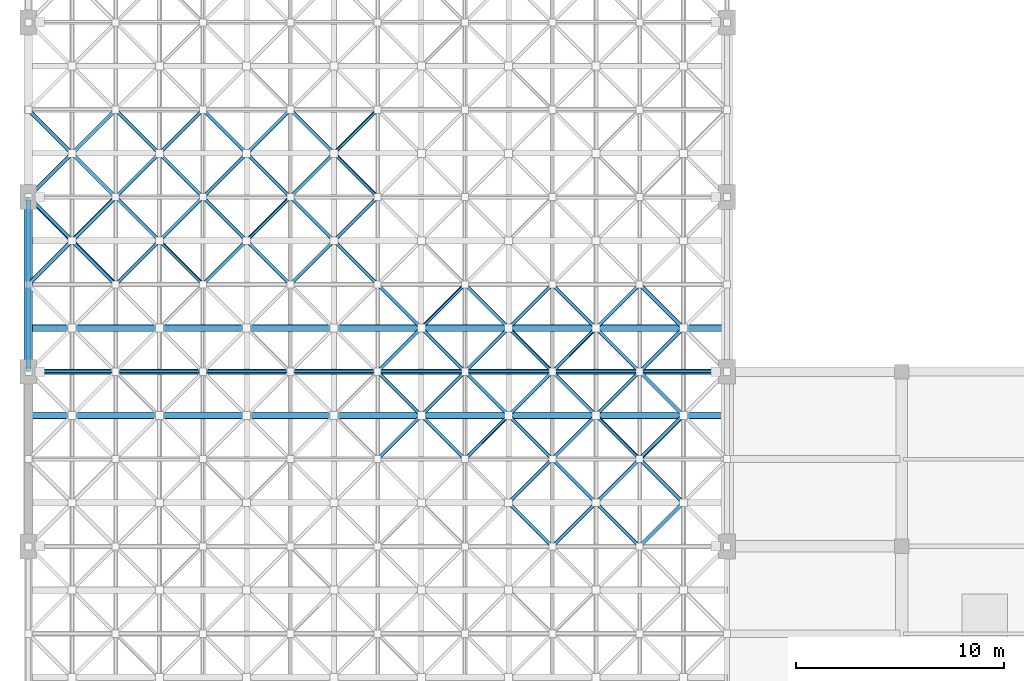
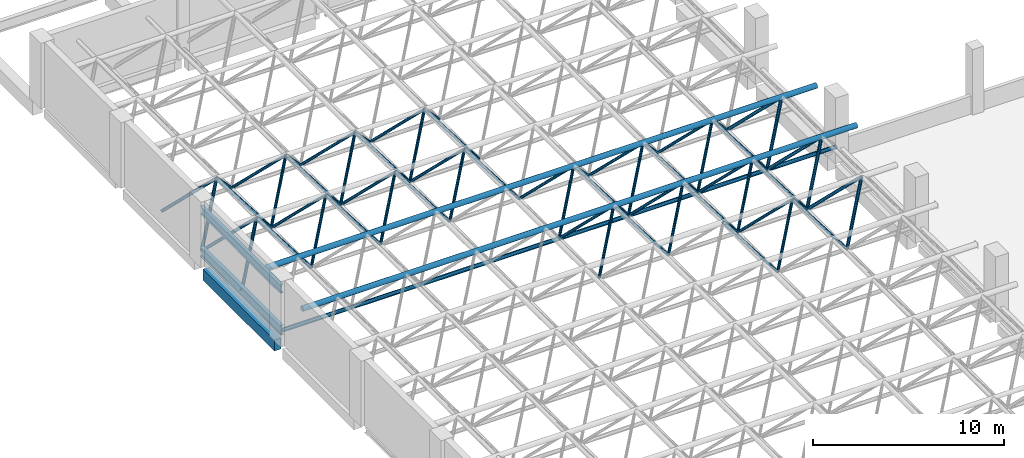
# One storey, part 28 of 64: 71 members, 3 beams.
"""IFC4 building model written with IfcOpenShell, lengths in metres."""

import ifcopenshell
import ifcopenshell.guid

model = None  # the IFC model being written
_history = None  # IfcOwnerHistory: only IFC2X3 demands one
_inside = {}  # id of a spatial element -> (the spatial element, [elements in it])
_under = {}  # id of a project, library or spatial element -> (it, [spatial elements below it])
_declared = {}  # id of a project -> (the project, [libraries it declares])
_typed = {}  # id of a type object -> (the type object, [elements of that type])
_made_of = {}  # id of a material, layer set ... -> (it, [elements and type objects made of it])


def new_model(schema):
    """Start an empty IFC model of exactly this schema.

    Asked for "IFC4X3", IfcOpenShell would pick the latest addendum, in which some entities
    have other attributes; the version numbers below select the first issue.
    IFC2X3 requires an IfcOwnerHistory on every rooted entity: one is made here for all.
    """
    global model, _history
    if schema == "IFC4X3":
        model = ifcopenshell.file(schema_version=(4, 3, 0, 0))
    else:
        model = ifcopenshell.file(schema=schema)
    _inside.clear()
    _under.clear()
    _declared.clear()
    _typed.clear()
    _made_of.clear()
    _history = None
    if model.schema == "IFC2X3":
        org = make("IfcOrganization", Name="unknown")
        user = make(
            "IfcPersonAndOrganization",
            ThePerson=make("IfcPerson", FamilyName="unknown"),
            TheOrganization=org,
        )
        app = make(
            "IfcApplication",
            ApplicationDeveloper=org,
            Version="unknown",
            ApplicationFullName="unknown",
            ApplicationIdentifier="unknown",
        )
        _history = make(
            "IfcOwnerHistory",
            OwningUser=user,
            OwningApplication=app,
            ChangeAction="ADDED",
            CreationDate=0,
        )
    return model


def make(cls, **values):
    """One entity of the class cls with the attributes given. An attribute that is None is left unset."""
    return model.create_entity(
        cls, **{name: value for name, value in values.items() if value is not None}
    )


def rooted(cls, **values):
    """An entity with a GlobalId (a new one), such as an element, a storey or a relation."""
    return make(cls, GlobalId=ifcopenshell.guid.new(), OwnerHistory=_history, **values)


def si_unit(unit_type, name, prefix=None):
    """IfcSIUnit, for example si_unit("LENGTHUNIT", "METRE", prefix="MILLI")."""
    return make("IfcSIUnit", UnitType=unit_type, Prefix=prefix, Name=name)


def derived_unit(unit_type, elements):
    """IfcDerivedUnit: a product of units, each with its exponent."""
    return make(
        "IfcDerivedUnit",
        Elements=[
            make("IfcDerivedUnitElement", Unit=unit, Exponent=power)
            for unit, power in elements
        ],
        UnitType=unit_type,
    )


def assignment(units):
    """IfcUnitAssignment: the units of a project."""
    return None if units is None else make("IfcUnitAssignment", Units=units)


def point(xyz):
    """IfcCartesianPoint."""
    return None if xyz is None else make("IfcCartesianPoint", Coordinates=xyz)


def direction(xyz):
    """IfcDirection."""
    return None if xyz is None else make("IfcDirection", DirectionRatios=xyz)


def frame(location, z_axis=None, x_axis=None):
    """IfcAxis2Placement3D, a coordinate frame: its origin and axes. An axis left out is left unset."""
    return make(
        "IfcAxis2Placement3D",
        Location=point(location),
        Axis=direction(z_axis),
        RefDirection=direction(x_axis),
    )


def frame_2d(location, x_axis=None):
    """IfcAxis2Placement2D, a coordinate frame in the plane: its origin and x axis."""
    return make(
        "IfcAxis2Placement2D", Location=point(location), RefDirection=direction(x_axis)
    )


def origin():
    """The frame at (0, 0, 0) with its axes left unset."""
    return frame((0.0, 0.0, 0.0))


def origin_2d():
    """The frame at (0, 0) in the plane with its x axis left unset."""
    return frame_2d((0.0, 0.0))


def place(relative_to, where):
    """IfcLocalPlacement: puts the frame where relative to a parent placement (None: the world)."""
    return make(
        "IfcLocalPlacement", PlacementRelTo=relative_to, RelativePlacement=where
    )


def context(
    kind, dimensions, precision=None, world=None, true_north=None, identifier=None
):
    """IfcGeometricRepresentationContext, for example the 3D "Model" context."""
    return make(
        "IfcGeometricRepresentationContext",
        ContextIdentifier=identifier,
        ContextType=kind,
        CoordinateSpaceDimension=dimensions,
        Precision=precision,
        WorldCoordinateSystem=world,
        TrueNorth=true_north,
    )


def subcontext(parent, identifier, kind, view, scale=None):
    """IfcGeometricRepresentationSubContext, for example "Body" below "Model"."""
    return make(
        "IfcGeometricRepresentationSubContext",
        ContextIdentifier=identifier,
        ContextType=kind,
        ParentContext=parent,
        TargetScale=scale,
        TargetView=view,
    )


def project(units=None, contexts=None):
    """IfcProject with its units and contexts."""
    return rooted(
        "IfcProject",
        Name="project",
        RepresentationContexts=contexts,
        UnitsInContext=assignment(units),
    )


def spatial(cls, under=None, at=None, **own):
    """A site, building, storey or space (cls), placed at a placement, below another one or the project."""
    s = rooted(cls, ObjectPlacement=at, **own)
    if under is not None:
        _under.setdefault(under.id(), (under, []))[1].append(s)
    return s


def profile(cls, at=None, kind="AREA", **sizes):
    """A parametric profile (cls). Its sizes go by their IFC names, for example OverallWidth=200.0."""
    return make(cls, ProfileType=kind, Position=at, **sizes)


def rectangle(**sizes):
    """IfcRectangleProfileDef."""
    return profile("IfcRectangleProfileDef", **sizes)


def hollow_circle(**sizes):
    """IfcCircleHollowProfileDef."""
    return profile("IfcCircleHollowProfileDef", **sizes)


def i_section(**sizes):
    """IfcIShapeProfileDef."""
    return profile("IfcIShapeProfileDef", **sizes)


def extrude(swept, where, along, depth):
    """IfcExtrudedAreaSolid: the profile swept, set in the frame where, extruded along a direction by depth."""
    return make(
        "IfcExtrudedAreaSolid",
        SweptArea=swept,
        Position=where,
        ExtrudedDirection=direction(along),
        Depth=depth,
    )


def shape(context_of_items, identifier, shape_type, items):
    """IfcShapeRepresentation: the items that make up one representation, for example the "Body"."""
    return make(
        "IfcShapeRepresentation",
        ContextOfItems=context_of_items,
        RepresentationIdentifier=identifier,
        RepresentationType=shape_type,
        Items=items,
    )


def material(Name=None, Category=None):
    """IfcMaterial."""
    return make("IfcMaterial", Name=Name, Category=Category)


def material_profile(
    of_material, cross_section, Name=None, Category=None, Priority=None
):
    """IfcMaterialProfile: a cross section and its material."""
    return make(
        "IfcMaterialProfile",
        Name=Name,
        Material=of_material,
        Profile=cross_section,
        Priority=Priority,
        Category=Category,
    )


def profile_set(profiles, Name=None, composite=None):
    """IfcMaterialProfileSet."""
    return make(
        "IfcMaterialProfileSet",
        Name=Name,
        MaterialProfiles=profiles,
        CompositeProfile=composite,
    )


def made_of(thing, what):
    """Note that an element or type object is made of a material, layer set ...; save() writes the relation."""
    if what is not None:
        _made_of.setdefault(what.id(), (what, []))[1].append(thing)
    return thing


def type_object(cls, material=None, **own):
    """A type object (cls), such as IfcWallType, which elements share."""
    return made_of(rooted(cls, **own), material)


def element(
    cls,
    number,
    at=None,
    inside=None,
    cuts=None,
    type_object=None,
    material=None,
    context=None,
    identifier="Body",
    shape_type=None,
    held_by="IfcProductDefinitionShape",
    body=None,
    shapes=None,
    **own,
):
    """One element of the class cls, such as IfcWall. Its Tag is "e" and its number.

    at: its placement. inside: the storey or other place that contains it. cuts: it is an
    opening in that element (IfcRelVoidsElement). A single representation is given by context,
    identifier, shape_type and body (its items); several are given by shapes. held_by: the class
    of the entity that holds the representations. save() writes the other relations.
    """
    e = rooted(cls, Tag="e%d" % number, ObjectPlacement=at, **own)
    if body is not None:
        shapes = [shape(context, identifier, shape_type, body)]
    if shapes is not None:
        e.Representation = make(held_by, Representations=shapes)
    if inside is not None:
        _inside.setdefault(inside.id(), (inside, []))[1].append(e)
    if cuts is not None:
        rooted(
            "IfcRelVoidsElement", RelatingBuildingElement=cuts, RelatedOpeningElement=e
        )
    if type_object is not None:
        _typed.setdefault(type_object.id(), (type_object, []))[1].append(e)
    return made_of(e, material)


def aggregate(whole, parts):
    """IfcRelAggregates: a whole, such as a stair, and the parts it consists of."""
    return rooted("IfcRelAggregates", RelatingObject=whole, RelatedObjects=parts)


def save(model, path):
    """Write the relations noted so far, then the file.

    IfcRelAggregates (storeys below a building ...), IfcRelContainedInSpatialStructure (elements
    in a storey), IfcRelDefinesByType, IfcRelAssociatesMaterial and IfcRelDeclares: one each for
    every whole, place, type object, material and project.
    """
    for whole, parts in _under.values():
        aggregate(whole, parts)
    for where, things in _inside.values():
        rooted(
            "IfcRelContainedInSpatialStructure",
            RelatedElements=things,
            RelatingStructure=where,
        )
    for kind, things in _typed.values():
        rooted("IfcRelDefinesByType", RelatedObjects=things, RelatingType=kind)
    for what, things in _made_of.values():
        rooted("IfcRelAssociatesMaterial", RelatedObjects=things, RelatingMaterial=what)
    for by, libraries in _declared.values():
        rooted("IfcRelDeclares", RelatingContext=by, RelatedDefinitions=libraries)
    model.write(path)


model = new_model("IFC4")

# Units and contexts
model_context = context("Model", 3, precision=1e-05, world=origin(), true_north=direction((0.0, 1.0)))
body_context = subcontext(model_context, "Body", "Model", "MODEL_VIEW")
ifc_project = project(units=[si_unit("LENGTHUNIT", "METRE"), si_unit("AREAUNIT", "SQUARE_METRE"), si_unit("VOLUMEUNIT", "CUBIC_METRE"), si_unit("PLANEANGLEUNIT", "RADIAN"), si_unit("MASSUNIT", "GRAM", prefix="KILO"), derived_unit("THERMALTRANSMITTANCEUNIT", [(si_unit("POWERUNIT", "WATT"), 1), (si_unit("LENGTHUNIT", "METRE"), -2), (si_unit("THERMODYNAMICTEMPERATUREUNIT", "KELVIN"), -1)])], contexts=[model_context])

# Site, building, storey
site_placement = place(None, origin())
site = spatial("IfcSite", under=ifc_project, at=site_placement, CompositionType="ELEMENT")
building_placement = place(site_placement, origin())
building = spatial("IfcBuilding", under=site, at=building_placement, Name="Barrovel Congress Hotel", CompositionType="ELEMENT")
storey_placement = place(building_placement, frame((0.0, 0.0, 14.10009765625)))
storey = spatial("IfcBuildingStorey", under=building, at=storey_placement, Name="L03", CompositionType="ELEMENT", Elevation=14.10009765625)

# Beam
ifc_material_1 = material(Name="Concrete C40", Category="concrete")
ifc_material_profile_1 = material_profile(ifc_material_1, rectangle(XDim=0.39990234375, YDim=0.699951171875, at=origin_2d()), Name="RC400x700")
ifc_profile_set_1 = profile_set([ifc_material_profile_1], Name="Concrete C40")
beam_type_1 = type_object("IfcBeamType", Name="BM-RC400x700", PredefinedType="BEAM", material=ifc_profile_set_1)
beam_1_placement = place(storey_placement, frame((0.0, 80.25, -0.590087890625), z_axis=(0.0, 1.0, 0.0), x_axis=(-1.0, 0.0, 0.0)))
element("IfcBeam", 1, at=beam_1_placement, inside=storey, type_object=beam_type_1, Name="BMY:L03:0.0:79.8-88.2", PredefinedType="BEAM", context=body_context, shape_type="SweptSolid", body=[
    extrude(rectangle(XDim=0.39990234375, YDim=0.699951171875, at=origin_2d()), origin(), (0.0, 0.0, 1.0), 7.5),
])

# Members
ifc_material_2 = material(Name="Steel ASTM A500 Grade C", Category="steel")
ifc_material_profile_2 = material_profile(ifc_material_2, hollow_circle(Radius=0.084228515625, WallThickness=0.006591796875, at=origin_2d()), Name="CHS168.3x7.1")
ifc_profile_set_2 = profile_set([ifc_material_profile_2], Name="Steel ASTM A500 Grade C")
member_type_1 = type_object("IfcMemberType", Name="MEM-CHS168.3x7.1", PredefinedType="BRACE", material=ifc_profile_set_2)
member_1_placement = place(storey_placement, frame((4.199951171875, 88.199951171875, 0.599853515625), z_axis=(0.527601167383, 0.527601167383, 0.665788266908), x_axis=(-0.707106781187, 0.707106781187, 0.0)))
element("IfcMember", 2, at=member_1_placement, inside=storey, type_object=member_type_1, Name="Space Frame Roof Truss Diagonal 1-12-1", PredefinedType="BRACE", context=body_context, shape_type="SweptSolid", body=[
    extrude(hollow_circle(Radius=0.084228515625, WallThickness=0.006591796875, at=origin_2d()), origin(), (0.0, 0.0, 1.0), 3.98046875),
])
for number, where, z_axis, x_axis, name in (
    (3, (8.39990234375, 88.199951171875, 0.599853515625), (-0.527556903839, 0.527618240532, 0.665809811786), (-0.707147883682, -0.707065676302, 0.0), "Space Frame Roof Truss Diagonal 1-12-2"),
    (4, (4.199951171875, 92.39990234375, 0.599853515625), (0.527618240532, -0.527556903839, 0.665809811786), (0.707065676302, 0.707147883682, 0.0), "Space Frame Roof Truss Diagonal 1-12-3"),
    (5, (8.39990234375, 92.39990234375, 0.599853515625), (-0.527573976661, -0.527573976661, 0.665831358755), (0.707106781187, -0.707106781187, 0.0), "Space Frame Roof Truss Diagonal 1-12-4"),
):
    element("IfcMember", number, at=place(storey_placement, frame(where, z_axis=z_axis, x_axis=x_axis)), inside=storey, type_object=member_type_1, Name=name, PredefinedType="BRACE", context=body_context, shape_type="SweptSolid", body=[
        extrude(hollow_circle(Radius=0.084228515625, WallThickness=0.006591796875, at=origin_2d()), origin(), (0.0, 0.0, 1.0), 3.980224609375),
    ])
for number, where, z_axis, x_axis, name in (
    (6, (8.39990234375, 84.0, 0.599853515625), (0.527601167383, 0.527601167383, 0.665788266908), (-0.707106781187, 0.707106781187, 0.0), "Space Frame Roof Truss Diagonal 2-11-1"),
    (7, (12.60009765625, 84.0, 0.599853515625), (-0.527601167383, 0.527601167383, 0.665788266908), (-0.707106781187, -0.707106781187, 0.0), "Space Frame Roof Truss Diagonal 2-11-2"),
):
    element("IfcMember", number, at=place(storey_placement, frame(where, z_axis=z_axis, x_axis=x_axis)), inside=storey, type_object=member_type_1, Name=name, PredefinedType="BRACE", context=body_context, shape_type="SweptSolid", body=[
        extrude(hollow_circle(Radius=0.084228515625, WallThickness=0.006591796875, at=origin_2d()), origin(), (0.0, 0.0, 1.0), 3.98046875),
    ])
for number, where, z_axis, x_axis, name in (
    (8, (8.39990234375, 88.199951171875, 0.599853515625), (0.527618240532, -0.527556903839, 0.665809811786), (0.707065676302, 0.707147883682, 0.0), "Space Frame Roof Truss Diagonal 2-11-3"),
    (9, (12.60009765625, 88.199951171875, 0.599853515625), (-0.527618240532, -0.527556903839, 0.665809811786), (0.707065676302, -0.707147883682, 0.0), "Space Frame Roof Truss Diagonal 2-11-4"),
    (10, (12.60009765625, 88.199951171875, 0.599853515625), (0.527556903839, 0.527618240532, 0.665809811786), (-0.707147883682, 0.707065676302, 0.0), "Space Frame Roof Truss Diagonal 3-12-1"),
):
    element("IfcMember", number, at=place(storey_placement, frame(where, z_axis=z_axis, x_axis=x_axis)), inside=storey, type_object=member_type_1, Name=name, PredefinedType="BRACE", context=body_context, shape_type="SweptSolid", body=[
        extrude(hollow_circle(Radius=0.084228515625, WallThickness=0.006591796875, at=origin_2d()), origin(), (0.0, 0.0, 1.0), 3.980224609375),
    ])
member_2_placement = place(storey_placement, frame((16.800048828125, 88.199951171875, 0.599853515625), z_axis=(-0.527601167383, 0.527601167383, 0.665788266908), x_axis=(-0.707106781187, -0.707106781187, 0.0)))
element("IfcMember", 11, at=member_2_placement, inside=storey, type_object=member_type_1, Name="Space Frame Roof Truss Diagonal 3-12-2", PredefinedType="BRACE", context=body_context, shape_type="SweptSolid", body=[
    extrude(hollow_circle(Radius=0.084228515625, WallThickness=0.006591796875, at=origin_2d()), origin(), (0.0, 0.0, 1.0), 3.98046875),
])
for number, where, z_axis, x_axis, name in (
    (12, (12.60009765625, 92.39990234375, 0.599853515625), (0.527573976661, -0.527573976661, 0.665831358755), (0.707106781187, 0.707106781187, 0.0), "Space Frame Roof Truss Diagonal 3-12-3"),
    (13, (16.800048828125, 92.39990234375, 0.599853515625), (-0.527618240532, -0.527556903839, 0.665809811786), (0.707065676302, -0.707147883682, 0.0), "Space Frame Roof Truss Diagonal 3-12-4"),
    (14, (16.800048828125, 75.60009765625, 0.599853515625), (0.527573976661, 0.527573976661, 0.665831358755), (-0.707106781187, 0.707106781187, 0.0), "Space Frame Roof Truss Diagonal 4-9-1"),
    (15, (21.0, 75.60009765625, 0.599853515625), (-0.527618240532, 0.527556903839, 0.665809811786), (-0.707065676302, -0.707147883682, 0.0), "Space Frame Roof Truss Diagonal 4-9-2"),
    (16, (16.800048828125, 79.800048828125, 0.599853515625), (0.527556903839, -0.527618240532, 0.665809811786), (0.707147883682, 0.707065676302, 0.0), "Space Frame Roof Truss Diagonal 4-9-3"),
):
    element("IfcMember", number, at=place(storey_placement, frame(where, z_axis=z_axis, x_axis=x_axis)), inside=storey, type_object=member_type_1, Name=name, PredefinedType="BRACE", context=body_context, shape_type="SweptSolid", body=[
        extrude(hollow_circle(Radius=0.084228515625, WallThickness=0.006591796875, at=origin_2d()), origin(), (0.0, 0.0, 1.0), 3.980224609375),
    ])
member_3_placement = place(storey_placement, frame((21.0, 79.800048828125, 0.599853515625), z_axis=(-0.527601167383, -0.527601167383, 0.665788266908), x_axis=(0.707106781187, -0.707106781187, 0.0)))
element("IfcMember", 17, at=member_3_placement, inside=storey, type_object=member_type_1, Name="Space Frame Roof Truss Diagonal 4-9-4", PredefinedType="BRACE", context=body_context, shape_type="SweptSolid", body=[
    extrude(hollow_circle(Radius=0.084228515625, WallThickness=0.006591796875, at=origin_2d()), origin(), (0.0, 0.0, 1.0), 3.98046875),
])
for number, where, z_axis, x_axis, name in (
    (18, (25.199951171875, 71.39990234375, 0.599853515625), (-0.527556903839, 0.527618240532, 0.665809811786), (-0.707147883682, -0.707065676302, 0.0), "Space Frame Roof Truss Diagonal 5-8-2"),
    (19, (25.199951171875, 75.60009765625, 0.599853515625), (-0.527556903839, -0.527618240532, 0.665809811786), (0.707147883682, -0.707065676302, 0.0), "Space Frame Roof Truss Diagonal 5-8-4"),
    (20, (21.0, 79.800048828125, 0.599853515625), (0.527618240532, 0.527556903839, 0.665809811786), (-0.707065676302, 0.707147883682, 0.0), "Space Frame Roof Truss Diagonal 5-10-1"),
    (21, (25.199951171875, 79.800048828125, 0.599853515625), (-0.527573976661, 0.527573976661, 0.665831358755), (-0.707106781187, -0.707106781187, 0.0), "Space Frame Roof Truss Diagonal 5-10-2"),
):
    element("IfcMember", number, at=place(storey_placement, frame(where, z_axis=z_axis, x_axis=x_axis)), inside=storey, type_object=member_type_1, Name=name, PredefinedType="BRACE", context=body_context, shape_type="SweptSolid", body=[
        extrude(hollow_circle(Radius=0.084228515625, WallThickness=0.006591796875, at=origin_2d()), origin(), (0.0, 0.0, 1.0), 3.980224609375),
    ])
member_4_placement = place(storey_placement, frame((21.0, 84.0, 0.599853515625), z_axis=(0.527601167383, -0.527601167383, 0.665788266908), x_axis=(0.707106781187, 0.707106781187, 0.0)))
element("IfcMember", 22, at=member_4_placement, inside=storey, type_object=member_type_1, Name="Space Frame Roof Truss Diagonal 5-10-3", PredefinedType="BRACE", context=body_context, shape_type="SweptSolid", body=[
    extrude(hollow_circle(Radius=0.084228515625, WallThickness=0.006591796875, at=origin_2d()), origin(), (0.0, 0.0, 1.0), 3.98046875),
])
for number, where, z_axis, x_axis, name in (
    (23, (25.199951171875, 84.0, 0.599853515625), (-0.527556903839, -0.527618240532, 0.665809811786), (0.707147883682, -0.707065676302, 0.0), "Space Frame Roof Truss Diagonal 5-10-4"),
    (24, (25.199951171875, 75.60009765625, 0.599853515625), (0.527618240532, 0.527556903839, 0.665809811786), (-0.707065676302, 0.707147883682, 0.0), "Space Frame Roof Truss Diagonal 6-9-1"),
    (25, (29.39990234375, 75.60009765625, 0.599853515625), (-0.527573976661, 0.527573976661, 0.665831358755), (-0.707106781187, -0.707106781187, 0.0), "Space Frame Roof Truss Diagonal 6-9-2"),
):
    element("IfcMember", number, at=place(storey_placement, frame(where, z_axis=z_axis, x_axis=x_axis)), inside=storey, type_object=member_type_1, Name=name, PredefinedType="BRACE", context=body_context, shape_type="SweptSolid", body=[
        extrude(hollow_circle(Radius=0.084228515625, WallThickness=0.006591796875, at=origin_2d()), origin(), (0.0, 0.0, 1.0), 3.980224609375),
    ])
member_5_placement = place(storey_placement, frame((25.199951171875, 79.800048828125, 0.599853515625), z_axis=(0.527601167383, -0.527601167383, 0.665788266908), x_axis=(0.707106781187, 0.707106781187, 0.0)))
element("IfcMember", 26, at=member_5_placement, inside=storey, type_object=member_type_1, Name="Space Frame Roof Truss Diagonal 6-9-3", PredefinedType="BRACE", context=body_context, shape_type="SweptSolid", body=[
    extrude(hollow_circle(Radius=0.084228515625, WallThickness=0.006591796875, at=origin_2d()), origin(), (0.0, 0.0, 1.0), 3.98046875),
])
member_6_placement = place(storey_placement, frame((29.39990234375, 79.800048828125, 0.599853515625), z_axis=(-0.527556903839, -0.527618240532, 0.665809811786), x_axis=(0.707147883682, -0.707065676302, 0.0)))
element("IfcMember", 27, at=member_6_placement, inside=storey, type_object=member_type_1, Name="Space Frame Roof Truss Diagonal 6-9-4", PredefinedType="BRACE", context=body_context, shape_type="SweptSolid", body=[
    extrude(hollow_circle(Radius=0.084228515625, WallThickness=0.006591796875, at=origin_2d()), origin(), (0.0, 0.0, 1.0), 3.980224609375),
])
ifc_material_profile_3 = material_profile(ifc_material_2, hollow_circle(Radius=0.084228515625, WallThickness=0.0087890625, at=origin_2d()), Name="CHS168.3x9.5")
ifc_profile_set_3 = profile_set([ifc_material_profile_3], Name="Steel ASTM A500 Grade C")
member_type_2 = type_object("IfcMemberType", Name="MEM-CHS168.3x9.5", PredefinedType="BRACE", material=ifc_profile_set_3)
member_7_placement = place(storey_placement, frame((4.199951171875, 84.0, 0.599853515625), z_axis=(0.527601167383, 0.527601167383, 0.665788266908), x_axis=(-0.707106781187, 0.707106781187, 0.0)))
element("IfcMember", 28, at=member_7_placement, inside=storey, type_object=member_type_2, Name="Space Frame Roof Truss Diagonal 1-11-1", PredefinedType="BRACE", context=body_context, shape_type="SweptSolid", body=[
    extrude(hollow_circle(Radius=0.084228515625, WallThickness=0.0087890625, at=origin_2d()), origin(), (0.0, 0.0, 1.0), 3.98046875),
])
for number, where, z_axis, x_axis, name in (
    (29, (8.39990234375, 84.0, 0.599853515625), (-0.527556903839, 0.527618240532, 0.665809811786), (-0.707147883682, -0.707065676302, 0.0), "Space Frame Roof Truss Diagonal 1-11-2"),
    (30, (4.199951171875, 88.199951171875, 0.599853515625), (0.527618240532, -0.527556903839, 0.665809811786), (0.707065676302, 0.707147883682, 0.0), "Space Frame Roof Truss Diagonal 1-11-3"),
    (31, (8.39990234375, 88.199951171875, 0.599853515625), (-0.527573976661, -0.527573976661, 0.665831358755), (0.707106781187, -0.707106781187, 0.0), "Space Frame Roof Truss Diagonal 1-11-4"),
):
    element("IfcMember", number, at=place(storey_placement, frame(where, z_axis=z_axis, x_axis=x_axis)), inside=storey, type_object=member_type_2, Name=name, PredefinedType="BRACE", context=body_context, shape_type="SweptSolid", body=[
        extrude(hollow_circle(Radius=0.084228515625, WallThickness=0.0087890625, at=origin_2d()), origin(), (0.0, 0.0, 1.0), 3.980224609375),
    ])
for number, where, z_axis, x_axis, name in (
    (32, (8.39990234375, 88.199951171875, 0.599853515625), (0.527601167383, 0.527601167383, 0.665788266908), (-0.707106781187, 0.707106781187, 0.0), "Space Frame Roof Truss Diagonal 2-12-1"),
    (33, (12.60009765625, 88.199951171875, 0.599853515625), (-0.527601167383, 0.527601167383, 0.665788266908), (-0.707106781187, -0.707106781187, 0.0), "Space Frame Roof Truss Diagonal 2-12-2"),
):
    element("IfcMember", number, at=place(storey_placement, frame(where, z_axis=z_axis, x_axis=x_axis)), inside=storey, type_object=member_type_2, Name=name, PredefinedType="BRACE", context=body_context, shape_type="SweptSolid", body=[
        extrude(hollow_circle(Radius=0.084228515625, WallThickness=0.0087890625, at=origin_2d()), origin(), (0.0, 0.0, 1.0), 3.98046875),
    ])
for number, where, z_axis, x_axis, name in (
    (34, (8.39990234375, 92.39990234375, 0.599853515625), (0.527618240532, -0.527556903839, 0.665809811786), (0.707065676302, 0.707147883682, 0.0), "Space Frame Roof Truss Diagonal 2-12-3"),
    (35, (12.60009765625, 92.39990234375, 0.599853515625), (-0.527618240532, -0.527556903839, 0.665809811786), (0.707065676302, -0.707147883682, 0.0), "Space Frame Roof Truss Diagonal 2-12-4"),
    (36, (12.60009765625, 84.0, 0.599853515625), (0.527556903839, 0.527618240532, 0.665809811786), (-0.707147883682, 0.707065676302, 0.0), "Space Frame Roof Truss Diagonal 3-11-1"),
):
    element("IfcMember", number, at=place(storey_placement, frame(where, z_axis=z_axis, x_axis=x_axis)), inside=storey, type_object=member_type_2, Name=name, PredefinedType="BRACE", context=body_context, shape_type="SweptSolid", body=[
        extrude(hollow_circle(Radius=0.084228515625, WallThickness=0.0087890625, at=origin_2d()), origin(), (0.0, 0.0, 1.0), 3.980224609375),
    ])
member_8_placement = place(storey_placement, frame((16.800048828125, 84.0, 0.599853515625), z_axis=(-0.527601167383, 0.527601167383, 0.665788266908), x_axis=(-0.707106781187, -0.707106781187, 0.0)))
element("IfcMember", 37, at=member_8_placement, inside=storey, type_object=member_type_2, Name="Space Frame Roof Truss Diagonal 3-11-2", PredefinedType="BRACE", context=body_context, shape_type="SweptSolid", body=[
    extrude(hollow_circle(Radius=0.084228515625, WallThickness=0.0087890625, at=origin_2d()), origin(), (0.0, 0.0, 1.0), 3.98046875),
])
for number, where, z_axis, x_axis, name in (
    (38, (12.60009765625, 88.199951171875, 0.599853515625), (0.527573976661, -0.527573976661, 0.665831358755), (0.707106781187, 0.707106781187, 0.0), "Space Frame Roof Truss Diagonal 3-11-3"),
    (39, (16.800048828125, 88.199951171875, 0.599853515625), (-0.527618240532, -0.527556903839, 0.665809811786), (0.707065676302, -0.707147883682, 0.0), "Space Frame Roof Truss Diagonal 3-11-4"),
    (40, (16.800048828125, 79.800048828125, 0.599853515625), (0.527573976661, 0.527573976661, 0.665831358755), (-0.707106781187, 0.707106781187, 0.0), "Space Frame Roof Truss Diagonal 4-10-1"),
    (41, (21.0, 79.800048828125, 0.599853515625), (-0.527618240532, 0.527556903839, 0.665809811786), (-0.707065676302, -0.707147883682, 0.0), "Space Frame Roof Truss Diagonal 4-10-2"),
    (42, (16.800048828125, 84.0, 0.599853515625), (0.527556903839, -0.527618240532, 0.665809811786), (0.707147883682, 0.707065676302, 0.0), "Space Frame Roof Truss Diagonal 4-10-3"),
):
    element("IfcMember", number, at=place(storey_placement, frame(where, z_axis=z_axis, x_axis=x_axis)), inside=storey, type_object=member_type_2, Name=name, PredefinedType="BRACE", context=body_context, shape_type="SweptSolid", body=[
        extrude(hollow_circle(Radius=0.084228515625, WallThickness=0.0087890625, at=origin_2d()), origin(), (0.0, 0.0, 1.0), 3.980224609375),
    ])
member_9_placement = place(storey_placement, frame((21.0, 84.0, 0.599853515625), z_axis=(-0.527601167383, -0.527601167383, 0.665788266908), x_axis=(0.707106781187, -0.707106781187, 0.0)))
element("IfcMember", 43, at=member_9_placement, inside=storey, type_object=member_type_2, Name="Space Frame Roof Truss Diagonal 4-10-4", PredefinedType="BRACE", context=body_context, shape_type="SweptSolid", body=[
    extrude(hollow_circle(Radius=0.084228515625, WallThickness=0.0087890625, at=origin_2d()), origin(), (0.0, 0.0, 1.0), 3.98046875),
])
for number, where, z_axis, x_axis, name in (
    (44, (21.0, 75.60009765625, 0.599853515625), (0.527618240532, 0.527556903839, 0.665809811786), (-0.707065676302, 0.707147883682, 0.0), "Space Frame Roof Truss Diagonal 5-9-1"),
    (45, (25.199951171875, 75.60009765625, 0.599853515625), (-0.527573976661, 0.527573976661, 0.665831358755), (-0.707106781187, -0.707106781187, 0.0), "Space Frame Roof Truss Diagonal 5-9-2"),
):
    element("IfcMember", number, at=place(storey_placement, frame(where, z_axis=z_axis, x_axis=x_axis)), inside=storey, type_object=member_type_2, Name=name, PredefinedType="BRACE", context=body_context, shape_type="SweptSolid", body=[
        extrude(hollow_circle(Radius=0.084228515625, WallThickness=0.0087890625, at=origin_2d()), origin(), (0.0, 0.0, 1.0), 3.980224609375),
    ])
member_10_placement = place(storey_placement, frame((21.0, 79.800048828125, 0.599853515625), z_axis=(0.527601167383, -0.527601167383, 0.665788266908), x_axis=(0.707106781187, 0.707106781187, 0.0)))
element("IfcMember", 46, at=member_10_placement, inside=storey, type_object=member_type_2, Name="Space Frame Roof Truss Diagonal 5-9-3", PredefinedType="BRACE", context=body_context, shape_type="SweptSolid", body=[
    extrude(hollow_circle(Radius=0.084228515625, WallThickness=0.0087890625, at=origin_2d()), origin(), (0.0, 0.0, 1.0), 3.98046875),
])
member_11_placement = place(storey_placement, frame((25.199951171875, 79.800048828125, 0.599853515625), z_axis=(-0.527556903839, -0.527618240532, 0.665809811786), x_axis=(0.707147883682, -0.707065676302, 0.0)))
element("IfcMember", 47, at=member_11_placement, inside=storey, type_object=member_type_2, Name="Space Frame Roof Truss Diagonal 5-9-4", PredefinedType="BRACE", context=body_context, shape_type="SweptSolid", body=[
    extrude(hollow_circle(Radius=0.084228515625, WallThickness=0.0087890625, at=origin_2d()), origin(), (0.0, 0.0, 1.0), 3.980224609375),
])
member_12_placement = place(storey_placement, frame((25.199951171875, 71.39990234375, 0.599853515625), z_axis=(0.527601167383, 0.527601167383, 0.665788266908), x_axis=(-0.707106781187, 0.707106781187, 0.0)))
element("IfcMember", 48, at=member_12_placement, inside=storey, type_object=member_type_2, Name="Space Frame Roof Truss Diagonal 6-8-1", PredefinedType="BRACE", context=body_context, shape_type="SweptSolid", body=[
    extrude(hollow_circle(Radius=0.084228515625, WallThickness=0.0087890625, at=origin_2d()), origin(), (0.0, 0.0, 1.0), 3.98046875),
])
member_13_placement = place(storey_placement, frame((29.39990234375, 71.39990234375, 0.599853515625), z_axis=(-0.527556903839, 0.527618240532, 0.665809811786), x_axis=(-0.707147883682, -0.707065676302, 0.0)))
element("IfcMember", 49, at=member_13_placement, inside=storey, type_object=member_type_2, Name="Space Frame Roof Truss Diagonal 6-8-2", PredefinedType="BRACE", context=body_context, shape_type="SweptSolid", body=[
    extrude(hollow_circle(Radius=0.084228515625, WallThickness=0.0087890625, at=origin_2d()), origin(), (0.0, 0.0, 1.0), 3.980224609375),
])
member_14_placement = place(storey_placement, frame((25.199951171875, 75.60009765625, 0.599853515625), z_axis=(0.527601167383, -0.527601167383, 0.665788266908), x_axis=(0.707106781187, 0.707106781187, 0.0)))
element("IfcMember", 50, at=member_14_placement, inside=storey, type_object=member_type_2, Name="Space Frame Roof Truss Diagonal 6-8-3", PredefinedType="BRACE", context=body_context, shape_type="SweptSolid", body=[
    extrude(hollow_circle(Radius=0.084228515625, WallThickness=0.0087890625, at=origin_2d()), origin(), (0.0, 0.0, 1.0), 3.98046875),
])
for number, where, z_axis, x_axis, name in (
    (51, (29.39990234375, 75.60009765625, 0.599853515625), (-0.527556903839, -0.527618240532, 0.665809811786), (0.707147883682, -0.707065676302, 0.0), "Space Frame Roof Truss Diagonal 6-8-4"),
    (52, (25.199951171875, 79.800048828125, 0.599853515625), (0.527618240532, 0.527556903839, 0.665809811786), (-0.707065676302, 0.707147883682, 0.0), "Space Frame Roof Truss Diagonal 6-10-1"),
    (53, (29.39990234375, 79.800048828125, 0.599853515625), (-0.527573976661, 0.527573976661, 0.665831358755), (-0.707106781187, -0.707106781187, 0.0), "Space Frame Roof Truss Diagonal 6-10-2"),
):
    element("IfcMember", number, at=place(storey_placement, frame(where, z_axis=z_axis, x_axis=x_axis)), inside=storey, type_object=member_type_2, Name=name, PredefinedType="BRACE", context=body_context, shape_type="SweptSolid", body=[
        extrude(hollow_circle(Radius=0.084228515625, WallThickness=0.0087890625, at=origin_2d()), origin(), (0.0, 0.0, 1.0), 3.980224609375),
    ])
member_15_placement = place(storey_placement, frame((25.199951171875, 84.0, 0.599853515625), z_axis=(0.527601167383, -0.527601167383, 0.665788266908), x_axis=(0.707106781187, 0.707106781187, 0.0)))
element("IfcMember", 54, at=member_15_placement, inside=storey, type_object=member_type_2, Name="Space Frame Roof Truss Diagonal 6-10-3", PredefinedType="BRACE", context=body_context, shape_type="SweptSolid", body=[
    extrude(hollow_circle(Radius=0.084228515625, WallThickness=0.0087890625, at=origin_2d()), origin(), (0.0, 0.0, 1.0), 3.98046875),
])
member_16_placement = place(storey_placement, frame((29.39990234375, 84.0, 0.599853515625), z_axis=(-0.527556903839, -0.527618240532, 0.665809811786), x_axis=(0.707147883682, -0.707065676302, 0.0)))
element("IfcMember", 55, at=member_16_placement, inside=storey, type_object=member_type_2, Name="Space Frame Roof Truss Diagonal 6-10-4", PredefinedType="BRACE", context=body_context, shape_type="SweptSolid", body=[
    extrude(hollow_circle(Radius=0.084228515625, WallThickness=0.0087890625, at=origin_2d()), origin(), (0.0, 0.0, 1.0), 3.980224609375),
])
ifc_material_profile_4 = material_profile(ifc_material_2, hollow_circle(Radius=0.096923828125, WallThickness=0.0087890625, at=origin_2d()), Name="CHS193.7x9.5")
ifc_profile_set_4 = profile_set([ifc_material_profile_4], Name="Steel ASTM A500 Grade C")
member_type_3 = type_object("IfcMemberType", Name="MEM-CHS193.7x9.5", PredefinedType="BRACE", material=ifc_profile_set_4)
member_17_placement = place(storey_placement, frame((0.0, 84.0, 0.599853515625), z_axis=(0.527601167383, 0.527601167383, 0.665788266908), x_axis=(-0.707106781187, 0.707106781187, 0.0)))
element("IfcMember", 56, at=member_17_placement, inside=storey, type_object=member_type_3, Name="Space Frame Roof Truss Diagonal 0-11-1", PredefinedType="BRACE", context=body_context, shape_type="SweptSolid", body=[
    extrude(hollow_circle(Radius=0.096923828125, WallThickness=0.0087890625, at=origin_2d()), origin(), (0.0, 0.0, 1.0), 3.98046875),
])
for number, where, z_axis, x_axis, name in (
    (57, (4.199951171875, 84.0, 0.599853515625), (-0.527556903839, 0.527618240532, 0.665809811786), (-0.707147883682, -0.707065676302, 0.0), "Space Frame Roof Truss Diagonal 0-11-2"),
    (58, (0.0, 88.199951171875, 0.599853515625), (0.527618240532, -0.527556903839, 0.665809811786), (0.707065676302, 0.707147883682, 0.0), "Space Frame Roof Truss Diagonal 0-11-3"),
    (59, (4.199951171875, 88.199951171875, 0.599853515625), (-0.527573976661, -0.527573976661, 0.665831358755), (0.707106781187, -0.707106781187, 0.0), "Space Frame Roof Truss Diagonal 0-11-4"),
):
    element("IfcMember", number, at=place(storey_placement, frame(where, z_axis=z_axis, x_axis=x_axis)), inside=storey, type_object=member_type_3, Name=name, PredefinedType="BRACE", context=body_context, shape_type="SweptSolid", body=[
        extrude(hollow_circle(Radius=0.096923828125, WallThickness=0.0087890625, at=origin_2d()), origin(), (0.0, 0.0, 1.0), 3.980224609375),
    ])
member_18_placement = place(storey_placement, frame((0.0, 88.199951171875, 0.599853515625), z_axis=(0.527601167383, 0.527601167383, 0.665788266908), x_axis=(-0.707106781187, 0.707106781187, 0.0)))
element("IfcMember", 60, at=member_18_placement, inside=storey, type_object=member_type_3, Name="Space Frame Roof Truss Diagonal 0-12-1", PredefinedType="BRACE", context=body_context, shape_type="SweptSolid", body=[
    extrude(hollow_circle(Radius=0.096923828125, WallThickness=0.0087890625, at=origin_2d()), origin(), (0.0, 0.0, 1.0), 3.98046875),
])
for number, where, z_axis, x_axis, name in (
    (61, (4.199951171875, 88.199951171875, 0.599853515625), (-0.527556903839, 0.527618240532, 0.665809811786), (-0.707147883682, -0.707065676302, 0.0), "Space Frame Roof Truss Diagonal 0-12-2"),
    (62, (0.0, 92.39990234375, 0.599853515625), (0.527618240532, -0.527556903839, 0.665809811786), (0.707065676302, 0.707147883682, 0.0), "Space Frame Roof Truss Diagonal 0-12-3"),
    (63, (4.199951171875, 92.39990234375, 0.599853515625), (-0.527573976661, -0.527573976661, 0.665831358755), (0.707106781187, -0.707106781187, 0.0), "Space Frame Roof Truss Diagonal 0-12-4"),
):
    element("IfcMember", number, at=place(storey_placement, frame(where, z_axis=z_axis, x_axis=x_axis)), inside=storey, type_object=member_type_3, Name=name, PredefinedType="BRACE", context=body_context, shape_type="SweptSolid", body=[
        extrude(hollow_circle(Radius=0.096923828125, WallThickness=0.0087890625, at=origin_2d()), origin(), (0.0, 0.0, 1.0), 3.980224609375),
    ])
for number, where, z_axis, x_axis, name in (
    (64, (29.39990234375, 71.39990234375, 0.599853515625), (0.527601167383, 0.527601167383, 0.665788266908), (-0.707106781187, 0.707106781187, 0.0), "Space Frame Roof Truss Diagonal 7-8-1"),
    (65, (29.39990234375, 75.60009765625, 0.599853515625), (0.527601167383, -0.527601167383, 0.665788266908), (0.707106781187, 0.707106781187, 0.0), "Space Frame Roof Truss Diagonal 7-8-3"),
):
    element("IfcMember", number, at=place(storey_placement, frame(where, z_axis=z_axis, x_axis=x_axis)), inside=storey, type_object=member_type_3, Name=name, PredefinedType="BRACE", context=body_context, shape_type="SweptSolid", body=[
        extrude(hollow_circle(Radius=0.096923828125, WallThickness=0.0087890625, at=origin_2d()), origin(), (0.0, 0.0, 1.0), 3.98046875),
    ])
member_19_placement = place(storey_placement, frame((29.39990234375, 75.60009765625, 0.599853515625), z_axis=(0.527618240532, 0.527556903839, 0.665809811786), x_axis=(-0.707065676302, 0.707147883682, 0.0)))
element("IfcMember", 66, at=member_19_placement, inside=storey, type_object=member_type_3, Name="Space Frame Roof Truss Diagonal 7-9-1", PredefinedType="BRACE", context=body_context, shape_type="SweptSolid", body=[
    extrude(hollow_circle(Radius=0.096923828125, WallThickness=0.0087890625, at=origin_2d()), origin(), (0.0, 0.0, 1.0), 3.980224609375),
])
member_20_placement = place(storey_placement, frame((29.39990234375, 79.800048828125, 0.599853515625), z_axis=(0.527601167383, -0.527601167383, 0.665788266908), x_axis=(0.707106781187, 0.707106781187, 0.0)))
element("IfcMember", 67, at=member_20_placement, inside=storey, type_object=member_type_3, Name="Space Frame Roof Truss Diagonal 7-9-3", PredefinedType="BRACE", context=body_context, shape_type="SweptSolid", body=[
    extrude(hollow_circle(Radius=0.096923828125, WallThickness=0.0087890625, at=origin_2d()), origin(), (0.0, 0.0, 1.0), 3.98046875),
])
member_21_placement = place(storey_placement, frame((29.39990234375, 79.800048828125, 0.599853515625), z_axis=(0.527618240532, 0.527556903839, 0.665809811786), x_axis=(-0.707065676302, 0.707147883682, 0.0)))
element("IfcMember", 68, at=member_21_placement, inside=storey, type_object=member_type_3, Name="Space Frame Roof Truss Diagonal 7-10-1", PredefinedType="BRACE", context=body_context, shape_type="SweptSolid", body=[
    extrude(hollow_circle(Radius=0.096923828125, WallThickness=0.0087890625, at=origin_2d()), origin(), (0.0, 0.0, 1.0), 3.980224609375),
])
member_22_placement = place(storey_placement, frame((29.39990234375, 84.0, 0.599853515625), z_axis=(0.527601167383, -0.527601167383, 0.665788266908), x_axis=(0.707106781187, 0.707106781187, 0.0)))
element("IfcMember", 69, at=member_22_placement, inside=storey, type_object=member_type_3, Name="Space Frame Roof Truss Diagonal 7-10-3", PredefinedType="BRACE", context=body_context, shape_type="SweptSolid", body=[
    extrude(hollow_circle(Radius=0.096923828125, WallThickness=0.0087890625, at=origin_2d()), origin(), (0.0, 0.0, 1.0), 3.98046875),
])
ifc_material_profile_5 = material_profile(ifc_material_2, hollow_circle(Radius=0.122314453125, WallThickness=0.01171875, at=origin_2d()), Name="CHS244.5x12.7")
ifc_profile_set_5 = profile_set([ifc_material_profile_5], Name="Steel ASTM A500 Grade C")
member_type_4 = type_object("IfcMemberType", Name="MEM-CHS244.5x12.7", PredefinedType="CHORD", material=ifc_profile_set_5)
member_23_placement = place(storey_placement, frame((0.0, 79.800048828125, 0.599853515625), z_axis=(1.0, 0.0, 0.0), x_axis=(0.0, 1.0, 0.0)))
element("IfcMember", 70, at=member_23_placement, inside=storey, type_object=member_type_4, Name="Space Frame Roof Truss Bottom Chord X 10", PredefinedType="CHORD", context=body_context, shape_type="SweptSolid", body=[
    extrude(hollow_circle(Radius=0.122314453125, WallThickness=0.01171875, at=origin_2d()), origin(), (0.0, 0.0, 1.0), 33.60009765625),
])
ifc_material_profile_6 = material_profile(ifc_material_2, hollow_circle(Radius=0.161865234375, WallThickness=0.01171875, at=origin_2d()), Name="CHS323.9x12.7")
ifc_profile_set_6 = profile_set([ifc_material_profile_6], Name="Steel ASTM A500 Grade C")
member_type_5 = type_object("IfcMemberType", Name="MEM-CHS323.9x12.7", PredefinedType="CHORD", material=ifc_profile_set_6)
for number, where, z_axis, x_axis, name in (
    (71, (0.0, 77.699951171875, 3.25), (1.0, 0.0, 0.0), (0.0, 1.0, 0.0), "Space Frame Roof Truss Top Chord X 9"),
    (72, (0.0, 81.89990234375, 3.25), (1.0, 0.0, 0.0), (0.0, 1.0, 0.0), "Space Frame Roof Truss Top Chord X 10"),
):
    element("IfcMember", number, at=place(storey_placement, frame(where, z_axis=z_axis, x_axis=x_axis)), inside=storey, type_object=member_type_5, Name=name, PredefinedType="CHORD", context=body_context, shape_type="SweptSolid", body=[
        extrude(hollow_circle(Radius=0.161865234375, WallThickness=0.01171875, at=origin_2d()), origin(), (0.0, 0.0, 1.0), 33.60009765625),
    ])

# Beams
ifc_material_3 = material(Name="Steel ASTM A992 Grade 50", Category="steel")
ifc_material_profile_7 = material_profile(ifc_material_3, i_section(OverallWidth=0.208984375, OverallDepth=0.532958984375, WebThickness=0.01025390625, FlangeThickness=0.015625, FilletRadius=0.013916015625, at=origin_2d()), Name="W530x92")
ifc_profile_set_7 = profile_set([ifc_material_profile_7], Name="Steel ASTM A992 Grade 50")
beam_type_2 = type_object("IfcBeamType", Name="SBM-W530x92", PredefinedType="BEAM", material=ifc_profile_set_7)
beam_2_placement = place(storey_placement, frame((0.0, 79.800048828125, 3.25), z_axis=(0.0, 1.0, 0.0), x_axis=(-1.0, 0.0, 0.0)))
element("IfcBeam", 73, at=beam_2_placement, inside=storey, type_object=beam_type_2, Name="Congress Roof Truss Upper Collector 0-6", PredefinedType="BEAM", context=body_context, shape_type="SweptSolid", body=[
    extrude(i_section(OverallWidth=0.208984375, OverallDepth=0.532958984375, WebThickness=0.01025390625, FlangeThickness=0.015625, FilletRadius=0.013916015625, at=origin_2d()), origin(), (0.0, 0.0, 1.0), 8.39990234375),
])
ifc_material_profile_8 = material_profile(ifc_material_3, i_section(OverallWidth=0.22900390625, OverallDepth=0.612060546875, WebThickness=0.011962890625, FlangeThickness=0.01953125, FilletRadius=0.014892578125, at=origin_2d()), Name="W610x125")
ifc_profile_set_8 = profile_set([ifc_material_profile_8], Name="Steel ASTM A992 Grade 50")
beam_type_3 = type_object("IfcBeamType", Name="SBM-W610x125", PredefinedType="BEAM", material=ifc_profile_set_8)
beam_3_placement = place(storey_placement, frame((0.0, 79.800048828125, 0.599853515625), z_axis=(0.0, 1.0, 0.0), x_axis=(-1.0, 0.0, 0.0)))
element("IfcBeam", 74, at=beam_3_placement, inside=storey, type_object=beam_type_3, Name="Congress Roof Truss Collector Beam 0-6", PredefinedType="BEAM", context=body_context, shape_type="SweptSolid", body=[
    extrude(i_section(OverallWidth=0.22900390625, OverallDepth=0.612060546875, WebThickness=0.011962890625, FlangeThickness=0.01953125, FilletRadius=0.014892578125, at=origin_2d()), origin(), (0.0, 0.0, 1.0), 8.39990234375),
])

save(model, "model.ifc")
